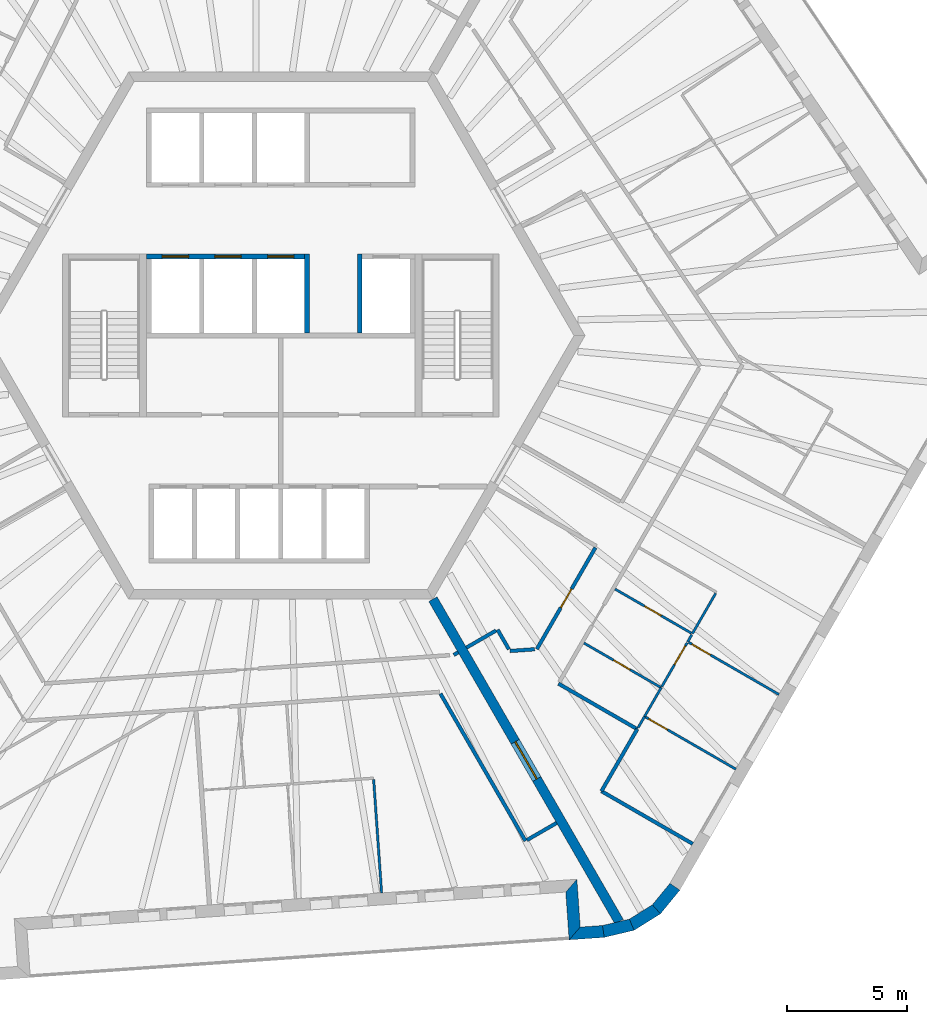
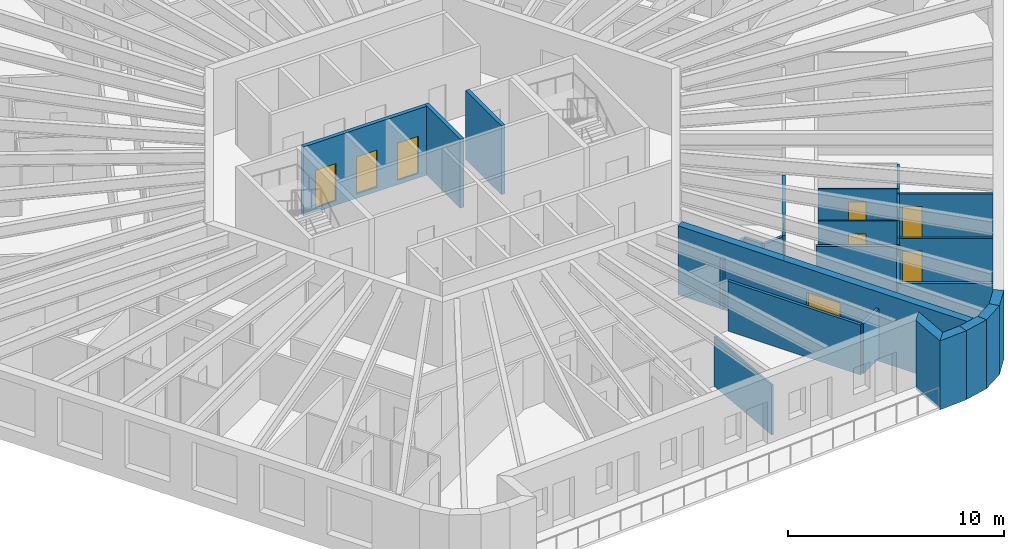
# One storey, part 6 of 12: 29 walls, 10 doors, 10 openings.
"""IFC4 building model written with IfcOpenShell, lengths in metres."""

from ifc_helpers import new_model, si_unit, direction, frame, frame_2d, origin, place, context, subcontext, project, spatial, polyline, rectangle, outline, extrude, material, layer, layer_set, type_object, element, fill, save


model = new_model("IFC4")

# Units and contexts
model_context = context("Model", 3, precision=1e-05, world=origin(), true_north=direction((0.0, 1.0)))
body_context = subcontext(model_context, "Body", "Model", "MODEL_VIEW")
ifc_project = project(units=[si_unit("LENGTHUNIT", "METRE"), si_unit("AREAUNIT", "SQUARE_METRE"), si_unit("VOLUMEUNIT", "CUBIC_METRE"), si_unit("PLANEANGLEUNIT", "RADIAN"), si_unit("MASSUNIT", "GRAM", prefix="KILO")], contexts=[model_context])

# Site, building, storey
site_placement = place(None, origin())
site = spatial("IfcSite", under=ifc_project, at=site_placement, CompositionType="ELEMENT")
building_placement = place(site_placement, origin())
building = spatial("IfcBuilding", under=site, at=building_placement, Name="Tarnside Tower", CompositionType="ELEMENT")
storey_placement = place(building_placement, frame((0.0, 0.0, 260.10009765625)))
storey = spatial("IfcBuildingStorey", under=building, at=storey_placement, Name="L62", CompositionType="ELEMENT", Elevation=260.10009765625)

# Wall
ifc_material_1 = material(Name="Gypsum board partition on steel studs", Category="steel")
ifc_layer_1 = layer(ifc_material_1, 0.10009765625)
ifc_layer_set_1 = layer_set([ifc_layer_1], Name="Bathroom wall 100")
wall_type_1 = type_object("IfcWallType", Name="Bathroom wall 100", PredefinedType="PARTITIONING", material=ifc_layer_set_1)
wall_1_placement = place(storey_placement, frame((18.155029296875, -10.75439453125, 0.0), z_axis=(0.0, 0.0, 1.0), x_axis=(-0.49989585183, -0.866085525409, 0.0)))
element("IfcWall", 1, at=wall_1_placement, inside=storey, type_object=wall_type_1, Name="Bathroom wall 20142", PredefinedType="PARTITIONING", context=body_context, shape_type="SweptSolid", body=[
    extrude(rectangle(XDim=1.9501953125, YDim=0.10009765625, at=frame_2d((0.97509765625, 0.0))), origin(), (0.0, 0.0, 1.0), 2.8232421875),
])

# Wall, opening, door
wall_2_placement = place(storey_placement, frame((12.654052734375, -12.83251953125, 0.0), z_axis=(0.0, 0.0, 1.0), x_axis=(0.866056803351, -0.499945610411, 0.0)))
wall_2 = element("IfcWall", 2, at=wall_2_placement, inside=storey, type_object=wall_type_1, Name="Bathroom wall 20145", PredefinedType="PARTITIONING", context=body_context, shape_type="SweptSolid", body=[
    extrude(rectangle(XDim=3.72509765625, YDim=0.10009765625, at=frame_2d((1.862548828125, 0.0))), origin(), (0.0, 0.0, 1.0), 2.8232421875),
])
opening_1_placement = place(wall_2_placement, frame((1.425048828125, 0.0, 0.0)))
opening_1 = element("IfcOpeningElement", 3, at=opening_1_placement, cuts=wall_2, Name="Opening D-B1", PredefinedType="OPENING", context=body_context, shape_type="SweptSolid", body=[
    extrude(rectangle(XDim=0.800048828125, YDim=2.10009765625, at=frame_2d((0.39990234375, 1.050048828125))), frame((0.0, 0.06005859375, 0.0), z_axis=(0.0, -1.0, 0.0), x_axis=(1.0, 0.0, 0.0)), (0.0, 0.0, 1.0), 0.1201171875),
])
ifc_material_2 = material(Name="Timber door leaf", Category="wood")
door_type_1 = type_object("IfcDoorType", Name="Bathroom door 800", OperationType="NOTDEFINED", PredefinedType="DOOR", material=ifc_material_2)
door_1_placement = place(opening_1_placement, origin())
door_1 = element("IfcDoor", 4, at=door_1_placement, inside=storey, type_object=door_type_1, Name="Bathroom door 20051", OperationType="SINGLE_SWING_RIGHT", OverallHeight=2.10009765625, OverallWidth=0.800048828125, PredefinedType="DOOR", context=body_context, shape_type="SweptSolid", body=[
    extrude(rectangle(XDim=0.800048828125, YDim=2.10009765625, at=frame_2d((0.39990234375, 1.050048828125))), frame((0.0, 0.02490234375, 0.0), z_axis=(0.0, -1.0, 0.0), x_axis=(1.0, 0.0, 0.0)), (0.0, 0.0, 1.0), 0.050048828125),
])
fill(opening_1, door_1)

wall_3_placement = place(storey_placement, frame((17.13671875, -12.418212890625, 0.0), z_axis=(0.0, 0.0, 1.0), x_axis=(-0.866035129944, 0.499983153418, 0.0)))
wall_3 = element("IfcWall", 5, at=wall_3_placement, inside=storey, type_object=wall_type_1, Name="Bathroom wall 20147", PredefinedType="PARTITIONING", context=body_context, shape_type="SweptSolid", body=[
    extrude(rectangle(XDim=3.675048828125, YDim=0.10009765625, at=frame_2d((1.83740234375, 0.0))), origin(), (0.0, 0.0, 1.0), 2.8232421875),
])
opening_2_placement = place(wall_3_placement, frame((1.449951171875, 0.0, 0.0)))
opening_2 = element("IfcOpeningElement", 6, at=opening_2_placement, cuts=wall_3, Name="Opening D-B1", PredefinedType="OPENING", context=body_context, shape_type="SweptSolid", body=[
    extrude(rectangle(XDim=0.800048828125, YDim=2.10009765625, at=frame_2d((0.39990234375, 1.050048828125))), frame((0.0, 0.06005859375, 0.0), z_axis=(0.0, -1.0, 0.0), x_axis=(1.0, 0.0, 0.0)), (0.0, 0.0, 1.0), 0.1201171875),
])
door_2_placement = place(opening_2_placement, origin())
door_2 = element("IfcDoor", 7, at=door_2_placement, inside=storey, type_object=door_type_1, Name="Bathroom door 20060", OperationType="SINGLE_SWING_RIGHT", OverallHeight=2.10009765625, OverallWidth=0.800048828125, PredefinedType="DOOR", context=body_context, shape_type="SweptSolid", body=[
    extrude(rectangle(XDim=0.800048828125, YDim=2.10009765625, at=frame_2d((0.39990234375, 1.050048828125))), frame((0.0, 0.02490234375, 0.0), z_axis=(0.0, -1.0, 0.0), x_axis=(1.0, 0.0, 0.0)), (0.0, 0.0, 1.0), 0.050048828125),
])
fill(opening_2, door_2)

# Walls
wall_4_placement = place(storey_placement, frame((14.91650390625, -16.36376953125, 0.0), z_axis=(0.0, 0.0, 1.0), x_axis=(0.500141487433, 0.865943700565, 0.0)))
element("IfcWall", 8, at=wall_4_placement, inside=storey, type_object=wall_type_1, Name="Bathroom wall 20148", PredefinedType="PARTITIONING", context=body_context, shape_type="SweptSolid", body=[
    extrude(rectangle(XDim=0.537841796875, YDim=0.10009765625, at=frame_2d((0.26904296875, 0.0))), origin(), (0.0, 0.0, 1.0), 2.8232421875),
])
wall_5_placement = place(storey_placement, frame((15.185546875, -15.89794921875, 0.0), z_axis=(0.0, 0.0, 1.0), x_axis=(0.4999705729, 0.866042392862, 0.0)))
element("IfcWall", 9, at=wall_5_placement, inside=storey, type_object=wall_type_1, Name="Bathroom wall 20149", PredefinedType="PARTITIONING", context=body_context, shape_type="SweptSolid", body=[
    extrude(rectangle(XDim=1.39111328125, YDim=0.10009765625, at=frame_2d((0.695556640625, 0.0))), origin(), (0.0, 0.0, 1.0), 2.8232421875),
])

# Wall, opening, door
ifc_material_3 = material(Name="Concrete C60/75", Category="concrete")
ifc_layer_2 = layer(ifc_material_3, 0.39990234375)
ifc_layer_set_2 = layer_set([ifc_layer_2], Name="Core wall Z3 400 C60/75")
wall_type_2 = type_object("IfcWallType", Name="Core wall Z3 400 C60/75", PredefinedType="SHEAR", material=ifc_layer_set_2)
wall_6_placement = place(storey_placement, frame((6.350830078125, -11.0, -0.150146484375), z_axis=(0.0, 0.0, 1.0), x_axis=(0.499998894578, -0.866026041999, 0.0)))
wall_6 = element("IfcWall", 10, at=wall_6_placement, inside=storey, type_object=wall_type_2, Name="L62 spine wall 3", PredefinedType="SHEAR", context=body_context, shape_type="SweptSolid", body=[
    extrude(rectangle(XDim=15.54443359375, YDim=0.39990234375, at=frame_2d((7.772216796875, 0.0))), origin(), (0.0, 0.0, 1.0), 3.900146484375),
])
opening_3_placement = place(wall_6_placement, frame((6.872314453125, 0.0, 0.14990234375)))
opening_3 = element("IfcOpeningElement", 11, at=opening_3_placement, cuts=wall_6, Name="Opening CD-SPN", PredefinedType="OPENING", context=body_context, shape_type="SweptSolid", body=[
    extrude(rectangle(XDim=1.800048828125, YDim=2.39990234375, at=frame_2d((0.89990234375, 1.199951171875))), frame((0.0, 0.2099609375, 0.0), z_axis=(0.0, -1.0, 0.0), x_axis=(1.0, 0.0, 0.0)), (0.0, 0.0, 1.0), 0.419921875),
])
ifc_material_4 = material(Name="Steel fire door", Category="steel")
door_type_2 = type_object("IfcDoorType", Name="Spine passage double door FD60 1800x2400", OperationType="NOTDEFINED", PredefinedType="DOOR", material=ifc_material_4)
door_3_placement = place(opening_3_placement, origin())
door_3 = element("IfcDoor", 12, at=door_3_placement, inside=storey, type_object=door_type_2, Name="L62 spine passage door 3", OperationType="DOUBLE_DOOR_SINGLE_SWING", OverallHeight=2.39990234375, OverallWidth=1.800048828125, PredefinedType="DOOR", context=body_context, shape_type="SweptSolid", body=[
    extrude(rectangle(XDim=1.800048828125, YDim=2.39990234375, at=frame_2d((0.89990234375, 1.199951171875))), frame((0.0, 0.02490234375, 0.0), z_axis=(0.0, -1.0, 0.0), x_axis=(1.0, 0.0, 0.0)), (0.0, 0.0, 1.0), 0.050048828125),
])
fill(opening_3, door_3)

# Walls
ifc_layer_3 = layer(ifc_material_1, 0.14990234375)
ifc_layer_set_3 = layer_set([ifc_layer_3], Name="Corridor wall 150 EI 60")
wall_type_3 = type_object("IfcWallType", Name="Corridor wall 150 EI 60", PredefinedType="PARTITIONING", material=ifc_layer_set_3)
wall_7_placement = place(storey_placement, frame((6.666259765625, -14.9462890625, 0.0), z_axis=(0.0, 0.0, 1.0), x_axis=(0.499979539361, -0.866037216418, 0.0)))
element("IfcWall", 13, at=wall_7_placement, inside=storey, type_object=wall_type_3, Name="Corridor wall 20039", PredefinedType="PARTITIONING", context=body_context, shape_type="SweptSolid", body=[
    extrude(rectangle(XDim=7.096923828125, YDim=0.14990234375, at=frame_2d((3.54833984375, 0.0))), origin(), (0.0, 0.0, 1.0), 2.8232421875),
])
wall_8_placement = place(storey_placement, frame((10.27978515625, -21.054931640625, 0.0), z_axis=(0.0, 0.0, 1.0), x_axis=(0.866020080793, 0.500009219579, 0.0)))
element("IfcWall", 14, at=wall_8_placement, inside=storey, type_object=wall_type_3, Name="Corridor wall 20040", PredefinedType="PARTITIONING", context=body_context, shape_type="SweptSolid", body=[
    extrude(rectangle(XDim=1.4248046875, YDim=0.14990234375, at=frame_2d((0.71240234375, 0.0))), origin(), (0.0, 0.0, 1.0), 2.8232421875),
])
wall_9_placement = place(storey_placement, frame((7.40380859375, -13.2236328125, 0.0), z_axis=(0.0, 0.0, 1.0), x_axis=(-0.866088799389, -0.499890179513, 0.0)))
element("IfcWall", 15, at=wall_9_placement, inside=storey, type_object=wall_type_3, Name="Corridor wall 20048", PredefinedType="PARTITIONING", context=body_context, shape_type="SweptSolid", body=[
    extrude(rectangle(XDim=0.2099609375, YDim=0.14990234375, at=frame_2d((0.10498046875, 0.0))), origin(), (0.0, 0.0, 1.0), 2.8232421875),
])
wall_10_placement = place(storey_placement, frame((14.880126953125, -16.427001953125, 0.0), z_axis=(0.0, 0.0, 1.0), x_axis=(-0.86601654697, 0.500015340139, 0.0)))
element("IfcWall", 16, at=wall_10_placement, inside=storey, type_object=wall_type_3, Name="Corridor wall 20054", PredefinedType="PARTITIONING", context=body_context, shape_type="SweptSolid", body=[
    extrude(rectangle(XDim=3.80029296875, YDim=0.14990234375, at=frame_2d((1.900146484375, 0.0))), origin(), (0.0, 0.0, 1.0), 2.8232421875),
])
wall_11_placement = place(storey_placement, frame((13.38623046875, -19.014404296875, 0.0), z_axis=(0.0, 0.0, 1.0), x_axis=(0.500009728207, 0.866019787128, 0.0)))
element("IfcWall", 17, at=wall_11_placement, inside=storey, type_object=wall_type_3, Name="Corridor wall 20056", PredefinedType="PARTITIONING", context=body_context, shape_type="SweptSolid", body=[
    extrude(rectangle(XDim=2.99169921875, YDim=0.14990234375, at=frame_2d((1.495849609375, 0.0))), origin(), (0.0, 0.0, 1.0), 2.8232421875),
])
wall_12_placement = place(storey_placement, frame((17.196044921875, -21.215576171875, 0.0), z_axis=(0.0, 0.0, 1.0), x_axis=(-0.866010893236, 0.500025132165, 0.0)))
element("IfcWall", 18, at=wall_12_placement, inside=storey, type_object=wall_type_3, Name="Corridor wall 20057", PredefinedType="PARTITIONING", context=body_context, shape_type="SweptSolid", body=[
    extrude(rectangle(XDim=4.398681640625, YDim=0.14990234375, at=frame_2d((2.19921875, 0.0))), origin(), (0.0, 0.0, 1.0), 2.8232421875),
])

# Wall, opening, door
wall_13_placement = place(storey_placement, frame((13.13525390625, -8.849365234375, 0.0), z_axis=(0.0, 0.0, 1.0), x_axis=(-0.500024829938, -0.866011067739, 0.0)))
wall_13 = element("IfcWall", 19, at=wall_13_placement, inside=storey, type_object=wall_type_3, Name="Corridor wall 20074", PredefinedType="PARTITIONING", context=body_context, shape_type="SweptSolid", body=[
    extrude(rectangle(XDim=4.892333984375, YDim=0.14990234375, at=frame_2d((2.4462890625, 0.0))), origin(), (0.0, 0.0, 1.0), 2.8232421875),
])
opening_4_placement = place(wall_13_placement, frame((1.996337890625, 0.0, 0.0)))
opening_4 = element("IfcOpeningElement", 20, at=opening_4_placement, cuts=wall_13, Name="Opening D-S1", PredefinedType="OPENING", context=body_context, shape_type="SweptSolid", body=[
    extrude(rectangle(XDim=0.89990234375, YDim=2.10009765625, at=frame_2d((0.449951171875, 1.050048828125))), frame((0.0, 0.0849609375, 0.0), z_axis=(0.0, -1.0, 0.0), x_axis=(1.0, 0.0, 0.0)), (0.0, 0.0, 1.0), 0.169921875),
])
door_type_3 = type_object("IfcDoorType", Name="Service room door 900 FD30S", OperationType="NOTDEFINED", PredefinedType="DOOR", material=ifc_material_2)
door_4_placement = place(opening_4_placement, origin())
door_4 = element("IfcDoor", 21, at=door_4_placement, inside=storey, type_object=door_type_3, Name="Service door 20076", OperationType="SINGLE_SWING_LEFT", OverallHeight=2.10009765625, OverallWidth=0.89990234375, PredefinedType="DOOR", context=body_context, shape_type="SweptSolid", body=[
    extrude(rectangle(XDim=0.89990234375, YDim=2.10009765625, at=frame_2d((0.449951171875, 1.050048828125))), frame((0.0, 0.02490234375, 0.0), z_axis=(0.0, -1.0, 0.0), x_axis=(1.0, 0.0, 0.0)), (0.0, 0.0, 1.0), 0.050048828125),
])
fill(opening_4, door_4)

# Walls
wall_14_placement = place(storey_placement, frame((10.5986328125, -13.092529296875, 0.0), z_axis=(0.0, 0.0, 1.0), x_axis=(-0.99755453913, -0.069892356245, 0.0)))
element("IfcWall", 22, at=wall_14_placement, inside=storey, type_object=wall_type_3, Name="Corridor wall 20075", PredefinedType="PARTITIONING", context=body_context, shape_type="SweptSolid", body=[
    extrude(rectangle(XDim=1.037353515625, YDim=0.14990234375, at=frame_2d((0.5185546875, 0.0))), origin(), (0.0, 0.0, 1.0), 2.8232421875),
])
wall_15_placement = place(storey_placement, frame((9.52197265625, -13.0927734375, 0.0), z_axis=(0.0, 0.0, 1.0), x_axis=(-0.499804398801, 0.866138304741, 0.0)))
element("IfcWall", 23, at=wall_15_placement, inside=storey, type_object=wall_type_3, Name="Corridor wall 20076", PredefinedType="PARTITIONING", context=body_context, shape_type="SweptSolid", body=[
    extrude(rectangle(XDim=0.94580078125, YDim=0.14990234375, at=frame_2d((0.472900390625, 0.0))), origin(), (0.0, 0.0, 1.0), 2.8232421875),
])
wall_16_placement = place(storey_placement, frame((8.984130859375, -12.311279296875, 0.0), z_axis=(0.0, 0.0, 1.0), x_axis=(-0.866020080793, -0.500009219579, 0.0)))
element("IfcWall", 24, at=wall_16_placement, inside=storey, type_object=wall_type_3, Name="Corridor wall 20077", PredefinedType="PARTITIONING", context=body_context, shape_type="SweptSolid", body=[
    extrude(rectangle(XDim=1.4248046875, YDim=0.14990234375, at=frame_2d((0.71240234375, 0.0))), origin(), (0.0, 0.0, 1.0), 2.8232421875),
])

# Wall, openings, doors
ifc_material_5 = material(Name="Concrete C40/50", Category="concrete")
ifc_layer_4 = layer(ifc_material_5, 0.199951171875)
ifc_layer_set_4 = layer_set([ifc_layer_4], Name="Lift shaft wall 200 C40/50")
wall_type_4 = type_object("IfcWallType", Name="Lift shaft wall 200 C40/50", PredefinedType="SHEAR", material=ifc_layer_set_4)
wall_17_placement = place(storey_placement, frame((-5.60009765625, 3.300048828125, -0.25), z_axis=(0.0, 0.0, 1.0), x_axis=(1.0, 0.0, 0.0)))
wall_17 = element("IfcWall", 25, at=wall_17_placement, inside=storey, type_object=wall_type_4, Name="L62 lift shaft front wall R2", PredefinedType="SHEAR", context=body_context, shape_type="SweptSolid", body=[
    extrude(rectangle(XDim=6.60009765625, YDim=0.199951171875, at=frame_2d((3.300048828125, 0.0))), origin(), (0.0, 0.0, 1.0), 3.89990234375),
])
opening_5_placement = place(wall_17_placement, frame((0.64990234375, 0.0, 0.25)))
opening_5 = element("IfcOpeningElement", 26, at=opening_5_placement, cuts=wall_17, Name="Opening LD", PredefinedType="OPENING", context=body_context, shape_type="SweptSolid", body=[
    extrude(rectangle(XDim=1.10009765625, YDim=2.10009765625, at=frame_2d((0.550048828125, 1.050048828125))), frame((0.0, 0.10986328125, 0.0), z_axis=(0.0, -1.0, 0.0), x_axis=(1.0, 0.0, 0.0)), (0.0, 0.0, 1.0), 0.219970703125),
])
opening_6_placement = place(wall_17_placement, frame((2.85009765625, 0.0, 0.25)))
opening_6 = element("IfcOpeningElement", 27, at=opening_6_placement, cuts=wall_17, Name="Opening LD", PredefinedType="OPENING", context=body_context, shape_type="SweptSolid", body=[
    extrude(rectangle(XDim=1.10009765625, YDim=2.10009765625, at=frame_2d((0.550048828125, 1.050048828125))), frame((0.0, 0.10986328125, 0.0), z_axis=(0.0, -1.0, 0.0), x_axis=(1.0, 0.0, 0.0)), (0.0, 0.0, 1.0), 0.219970703125),
])
opening_7_placement = place(wall_17_placement, frame((5.050048828125, 0.0, 0.25)))
opening_7 = element("IfcOpeningElement", 28, at=opening_7_placement, cuts=wall_17, Name="Opening LD", PredefinedType="OPENING", context=body_context, shape_type="SweptSolid", body=[
    extrude(rectangle(XDim=1.10009765625, YDim=2.10009765625, at=frame_2d((0.550048828125, 1.050048828125))), frame((0.0, 0.10986328125, 0.0), z_axis=(0.0, -1.0, 0.0), x_axis=(1.0, 0.0, 0.0)), (0.0, 0.0, 1.0), 0.219970703125),
])
ifc_material_6 = material(Name="Stainless steel", Category="steel")
door_type_4 = type_object("IfcDoorType", Name="Lift landing door 1100x2100", OperationType="NOTDEFINED", PredefinedType="DOOR", material=ifc_material_6)
door_5_placement = place(opening_5_placement, origin())
door_5 = element("IfcDoor", 29, at=door_5_placement, inside=storey, type_object=door_type_4, Name="High-rise lift 4 landing door L62", OperationType="SLIDING_TO_LEFT", OverallHeight=2.10009765625, OverallWidth=1.10009765625, PredefinedType="DOOR", context=body_context, shape_type="SweptSolid", body=[
    extrude(rectangle(XDim=1.10009765625, YDim=2.10009765625, at=frame_2d((0.550048828125, 1.050048828125))), frame((0.0, 0.02490234375, 0.0), z_axis=(0.0, -1.0, 0.0), x_axis=(1.0, 0.0, 0.0)), (0.0, 0.0, 1.0), 0.050048828125),
])
fill(opening_5, door_5)
door_6_placement = place(opening_6_placement, origin())
door_6 = element("IfcDoor", 30, at=door_6_placement, inside=storey, type_object=door_type_4, Name="High-rise lift 5 landing door L62", OperationType="SLIDING_TO_LEFT", OverallHeight=2.10009765625, OverallWidth=1.10009765625, PredefinedType="DOOR", context=body_context, shape_type="SweptSolid", body=[
    extrude(rectangle(XDim=1.10009765625, YDim=2.10009765625, at=frame_2d((0.550048828125, 1.050048828125))), frame((0.0, 0.02490234375, 0.0), z_axis=(0.0, -1.0, 0.0), x_axis=(1.0, 0.0, 0.0)), (0.0, 0.0, 1.0), 0.050048828125),
])
fill(opening_6, door_6)
door_7_placement = place(opening_7_placement, origin())
door_7 = element("IfcDoor", 31, at=door_7_placement, inside=storey, type_object=door_type_4, Name="High-rise lift 6 landing door L62", OperationType="SLIDING_TO_LEFT", OverallHeight=2.10009765625, OverallWidth=1.10009765625, PredefinedType="DOOR", context=body_context, shape_type="SweptSolid", body=[
    extrude(rectangle(XDim=1.10009765625, YDim=2.10009765625, at=frame_2d((0.550048828125, 1.050048828125))), frame((0.0, 0.02490234375, 0.0), z_axis=(0.0, -1.0, 0.0), x_axis=(1.0, 0.0, 0.0)), (0.0, 0.0, 1.0), 0.050048828125),
])
fill(opening_7, door_7)

# Walls
for number, where, z_axis, x_axis, name in (
    (32, (1.10009765625, 0.10009765625, -0.25), (0.0, 0.0, 1.0), (0.0, 1.0, 0.0), "L62 lift shaft partition R24"),
    (33, (3.300048828125, 0.10009765625, -0.25), (0.0, 0.0, 1.0), (0.0, 1.0, 0.0), "L62 lift shaft partition R25"),
):
    element("IfcWall", number, at=place(storey_placement, frame(where, z_axis=z_axis, x_axis=x_axis)), inside=storey, type_object=wall_type_4, Name=name, PredefinedType="SHEAR", context=body_context, shape_type="SweptSolid", body=[
        extrude(rectangle(XDim=3.2998046875, YDim=0.199951171875, at=frame_2d((1.64990234375, 0.0))), origin(), (0.0, 0.0, 1.0), 3.89990234375),
    ])
ifc_material_7 = material(Name="Dark zinc cladding")
ifc_layer_5 = layer(ifc_material_7, 0.10205078125)
ifc_material_8 = material(Name="Concrete C60/75 precast", Category="concrete")
ifc_layer_6 = layer(ifc_material_8, 0.298095703125)
ifc_material_9 = material(Name="Mineral wool insulation")
ifc_layer_7 = layer(ifc_material_9, 0.10009765625)
ifc_layer_set_5 = layer_set([ifc_layer_5, ifc_layer_6, ifc_layer_7], Name="Loggia wall 500 zinc faced")
wall_type_5 = type_object("IfcWallType", Name="Loggia wall 500 zinc faced", PredefinedType="SOLIDWALL", material=ifc_layer_set_5)
wall_18_placement = place(storey_placement, frame((12.128662109375, -22.9599609375, -0.150146484375), z_axis=(0.0, 0.0, 1.0), x_axis=(0.069824268692, -0.99755930726, 0.0)))
element("IfcWall", 34, at=wall_18_placement, inside=storey, type_object=wall_type_5, Name="Tube wall L62 F4 return 19", PredefinedType="SOLIDWALL", context=body_context, shape_type="SweptSolid", body=[
    extrude(outline(polyline([(0.25, -0.25), (2.25, -0.25), (1.75, 0.25), (-0.25, 0.25), (0.25, -0.25)])), origin(), (0.0, 0.0, 1.0), 3.900146484375),
])
wall_19_placement = place(storey_placement, frame((12.268310546875, -24.955078125, -0.150146484375), z_axis=(0.0, 0.0, 1.0), x_axis=(0.997561942506, 0.06978660948, 0.0)))
element("IfcWall", 35, at=wall_19_placement, inside=storey, type_object=wall_type_5, Name="Tube wall L62 F4 stub 20", PredefinedType="SOLIDWALL", context=body_context, shape_type="SweptSolid", body=[
    extrude(outline(polyline([(-0.25, -0.25), (1.220458984375, -0.25), (1.179443359375, 0.25), (0.25, 0.25), (-0.25, -0.25)])), origin(), (0.0, 0.0, 1.0), 3.900146484375),
])
ifc_layer_8 = layer(ifc_material_1, 0.10009765625)
ifc_layer_set_6 = layer_set([ifc_layer_8], Name="Partition 100")
wall_type_6 = type_object("IfcWallType", Name="Partition 100", PredefinedType="PARTITIONING", material=ifc_layer_set_6)
wall_20_placement = place(storey_placement, frame((3.876953125, -18.524658203125, 0.0), z_axis=(0.0, 0.0, 1.0), x_axis=(0.069745758817, -0.997564799463, 0.0)))
element("IfcWall", 36, at=wall_20_placement, inside=storey, type_object=wall_type_6, Name="Partition wall 20133", PredefinedType="PARTITIONING", context=body_context, shape_type="SweptSolid", body=[
    extrude(rectangle(XDim=4.75, YDim=0.10009765625, at=frame_2d((2.375, 0.0))), origin(), (0.0, 0.0, 1.0), 2.8232421875),
])
wall_21_placement = place(storey_placement, frame((17.155029296875, -12.486572265625, 0.0), z_axis=(0.0, 0.0, 1.0), x_axis=(-0.499681137129, -0.866209421097, 0.0)))
element("IfcWall", 37, at=wall_21_placement, inside=storey, type_object=wall_type_6, Name="Partition wall 20139", PredefinedType="PARTITIONING", context=body_context, shape_type="SweptSolid", body=[
    extrude(rectangle(XDim=0.341064453125, YDim=0.10009765625, at=frame_2d((0.17041015625, 0.0))), origin(), (0.0, 0.0, 1.0), 2.8232421875),
])

# Wall, opening, door
wall_22_placement = place(storey_placement, frame((17.02880859375, -12.80517578125, 0.0), z_axis=(0.0, 0.0, 1.0), x_axis=(0.866027639635, -0.499996127374, 0.0)))
wall_22 = element("IfcWall", 38, at=wall_22_placement, inside=storey, type_object=wall_type_6, Name="Partition wall 20140", PredefinedType="PARTITIONING", context=body_context, shape_type="SweptSolid", body=[
    extrude(rectangle(XDim=4.35009765625, YDim=0.10009765625, at=frame_2d((2.175048828125, 0.0))), origin(), (0.0, 0.0, 1.0), 2.8232421875),
])
opening_8_placement = place(wall_22_placement, frame((0.14990234375, 0.0, 0.0)))
opening_8 = element("IfcOpeningElement", 39, at=opening_8_placement, cuts=wall_22, Name="Opening D-I1", PredefinedType="OPENING", context=body_context, shape_type="SweptSolid", body=[
    extrude(rectangle(XDim=0.89990234375, YDim=2.10009765625, at=frame_2d((0.449951171875, 1.050048828125))), frame((0.0, 0.06005859375, 0.0), z_axis=(0.0, -1.0, 0.0), x_axis=(1.0, 0.0, 0.0)), (0.0, 0.0, 1.0), 0.1201171875),
])
door_type_5 = type_object("IfcDoorType", Name="Internal door 900", OperationType="NOTDEFINED", PredefinedType="DOOR", material=ifc_material_2)
door_8_placement = place(opening_8_placement, origin())
door_8 = element("IfcDoor", 40, at=door_8_placement, inside=storey, type_object=door_type_5, Name="Internal door 20059", OperationType="SINGLE_SWING_RIGHT", OverallHeight=2.10009765625, OverallWidth=0.89990234375, PredefinedType="DOOR", context=body_context, shape_type="SweptSolid", body=[
    extrude(rectangle(XDim=0.89990234375, YDim=2.10009765625, at=frame_2d((0.449951171875, 1.050048828125))), frame((0.0, 0.02490234375, 0.0), z_axis=(0.0, -1.0, 0.0), x_axis=(1.0, 0.0, 0.0)), (0.0, 0.0, 1.0), 0.050048828125),
])
fill(opening_8, door_8)

wall_23_placement = place(storey_placement, frame((15.904052734375, -14.6533203125, 0.0), z_axis=(0.0, 0.0, 1.0), x_axis=(0.499979177903, 0.866037425094, 0.0)))
wall_23 = element("IfcWall", 41, at=wall_23_placement, inside=storey, type_object=wall_type_6, Name="Partition wall 20146", PredefinedType="PARTITIONING", context=body_context, shape_type="SweptSolid", body=[
    extrude(rectangle(XDim=2.11279296875, YDim=0.10009765625, at=frame_2d((1.056396484375, 0.0))), origin(), (0.0, 0.0, 1.0), 2.8232421875),
])
opening_9_placement = place(wall_23_placement, frame((1.06298828125, 0.0, 0.0)))
opening_9 = element("IfcOpeningElement", 42, at=opening_9_placement, cuts=wall_23, Name="Opening D-I1", PredefinedType="OPENING", context=body_context, shape_type="SweptSolid", body=[
    extrude(rectangle(XDim=0.89990234375, YDim=2.10009765625, at=frame_2d((0.449951171875, 1.050048828125))), frame((0.0, 0.06005859375, 0.0), z_axis=(0.0, -1.0, 0.0), x_axis=(1.0, 0.0, 0.0)), (0.0, 0.0, 1.0), 0.1201171875),
])
door_9_placement = place(opening_9_placement, origin())
door_9 = element("IfcDoor", 43, at=door_9_placement, inside=storey, type_object=door_type_5, Name="Internal door 20054", OperationType="SINGLE_SWING_RIGHT", OverallHeight=2.10009765625, OverallWidth=0.89990234375, PredefinedType="DOOR", context=body_context, shape_type="SweptSolid", body=[
    extrude(rectangle(XDim=0.89990234375, YDim=2.10009765625, at=frame_2d((0.449951171875, 1.050048828125))), frame((0.0, 0.02490234375, 0.0), z_axis=(0.0, -1.0, 0.0), x_axis=(1.0, 0.0, 0.0)), (0.0, 0.0, 1.0), 0.050048828125),
])
fill(opening_9, door_9)

wall_24_placement = place(storey_placement, frame((18.99609375, -18.097900390625, 0.0), z_axis=(0.0, 0.0, 1.0), x_axis=(-0.866027639635, 0.499996127374, 0.0)))
wall_24 = element("IfcWall", 44, at=wall_24_placement, inside=storey, type_object=wall_type_6, Name="Partition wall 20150", PredefinedType="PARTITIONING", context=body_context, shape_type="SweptSolid", body=[
    extrude(rectangle(XDim=4.35009765625, YDim=0.10009765625, at=frame_2d((2.175048828125, 0.0))), origin(), (0.0, 0.0, 1.0), 2.8232421875),
])
opening_10_placement = place(wall_24_placement, frame((3.300048828125, 0.0, 0.0)))
opening_10 = element("IfcOpeningElement", 45, at=opening_10_placement, cuts=wall_24, Name="Opening D-I1", PredefinedType="OPENING", context=body_context, shape_type="SweptSolid", body=[
    extrude(rectangle(XDim=0.89990234375, YDim=2.10009765625, at=frame_2d((0.449951171875, 1.050048828125))), frame((0.0, 0.06005859375, 0.0), z_axis=(0.0, -1.0, 0.0), x_axis=(1.0, 0.0, 0.0)), (0.0, 0.0, 1.0), 0.1201171875),
])
door_10_placement = place(opening_10_placement, origin())
door_10 = element("IfcDoor", 46, at=door_10_placement, inside=storey, type_object=door_type_5, Name="Internal door 20057", OperationType="SINGLE_SWING_RIGHT", OverallHeight=2.10009765625, OverallWidth=0.89990234375, PredefinedType="DOOR", context=body_context, shape_type="SweptSolid", body=[
    extrude(rectangle(XDim=0.89990234375, YDim=2.10009765625, at=frame_2d((0.449951171875, 1.050048828125))), frame((0.0, 0.02490234375, 0.0), z_axis=(0.0, -1.0, 0.0), x_axis=(1.0, 0.0, 0.0)), (0.0, 0.0, 1.0), 0.050048828125),
])
fill(opening_10, door_10)

# Walls
ifc_material_10 = material(Name="Facing brick", Category="masonry")
ifc_layer_9 = layer(ifc_material_10, 0.10205078125)
ifc_layer_10 = layer(ifc_material_8, 0.298095703125)
ifc_layer_11 = layer(ifc_material_9, 0.10009765625)
ifc_layer_set_7 = layer_set([ifc_layer_9, ifc_layer_10, ifc_layer_11], Name="Tube wall 500 brick faced")
wall_type_7 = type_object("IfcWallType", Name="Tube wall 500 brick faced", PredefinedType="SOLIDWALL", material=ifc_layer_set_7)
wall_25_placement = place(storey_placement, frame((13.46533203125, -24.871337890625, -0.150146484375), z_axis=(0.0, 0.0, 1.0), x_axis=(0.973044740285, 0.230616420501, 0.0)))
element("IfcWall", 47, at=wall_25_placement, inside=storey, type_object=wall_type_7, Name="Tube wall L62 F4 chord 21", PredefinedType="SOLIDWALL", context=body_context, shape_type="SweptSolid", body=[
    extrude(outline(polyline([(-0.0205078125, -0.25), (1.25732421875, -0.25), (1.17529296875, 0.25), (0.0205078125, 0.25), (-0.0205078125, -0.25)])), origin(), (0.0, 0.0, 1.0), 3.900146484375),
])
wall_26_placement = place(storey_placement, frame((14.64892578125, -24.5908203125, -0.150146484375), z_axis=(0.0, 0.0, 1.0), x_axis=(0.848054682072, 0.529908724419, 0.0)))
element("IfcWall", 48, at=wall_26_placement, inside=storey, type_object=wall_type_7, Name="Tube wall L62 F4 chord 22", PredefinedType="SOLIDWALL", context=body_context, shape_type="SweptSolid", body=[
    extrude(outline(polyline([(-0.041015625, -0.25), (1.25732421875, -0.25), (1.17529296875, 0.25), (0.041015625, 0.25), (-0.041015625, -0.25)])), origin(), (0.0, 0.0, 1.0), 3.900146484375),
])
wall_27_placement = place(storey_placement, frame((15.680419921875, -23.9462890625, -0.150146484375), z_axis=(0.0, 0.0, 1.0), x_axis=(0.633805934167, 0.773492105852, 0.0)))
element("IfcWall", 49, at=wall_27_placement, inside=storey, type_object=wall_type_7, Name="Tube wall L62 F4 chord 23", PredefinedType="SOLIDWALL", context=body_context, shape_type="SweptSolid", body=[
    extrude(outline(polyline([(-0.041015625, -0.25), (1.237060546875, -0.25), (1.196044921875, 0.25), (0.041015625, 0.25), (-0.041015625, -0.25)])), origin(), (0.0, 0.0, 1.0), 3.900146484375),
])

save(model, "model.ifc")
